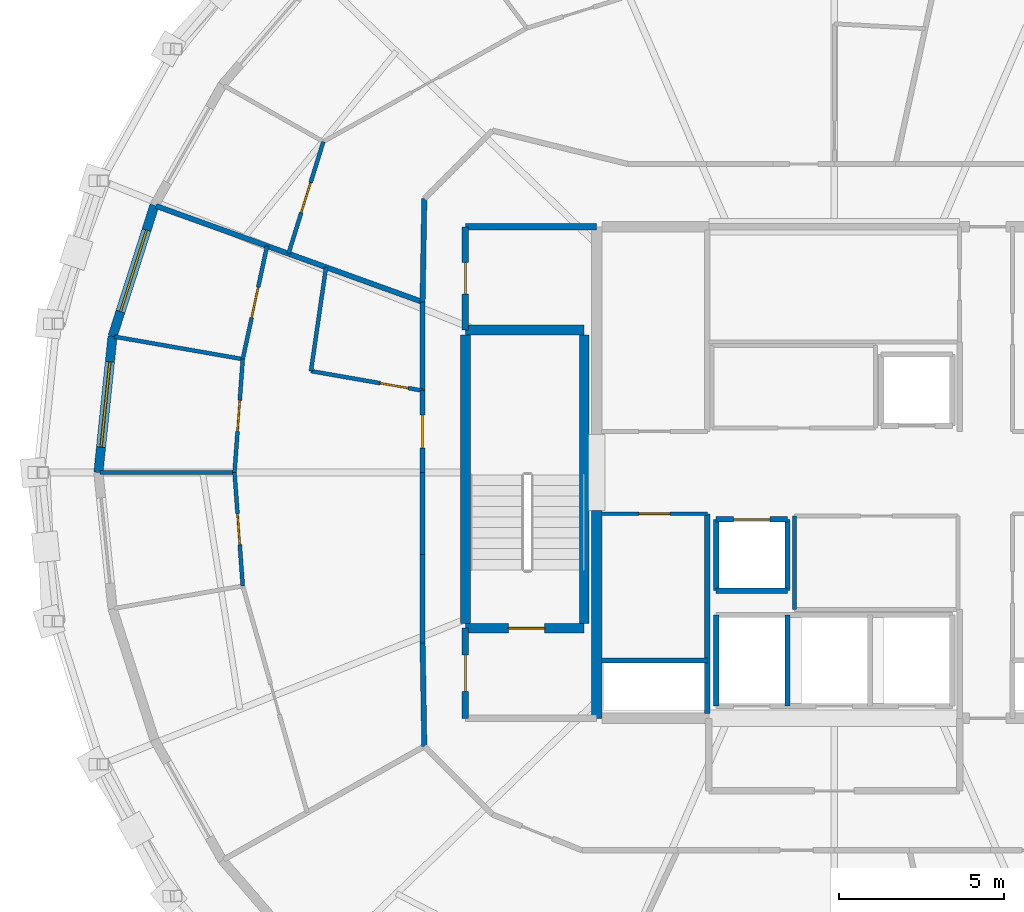
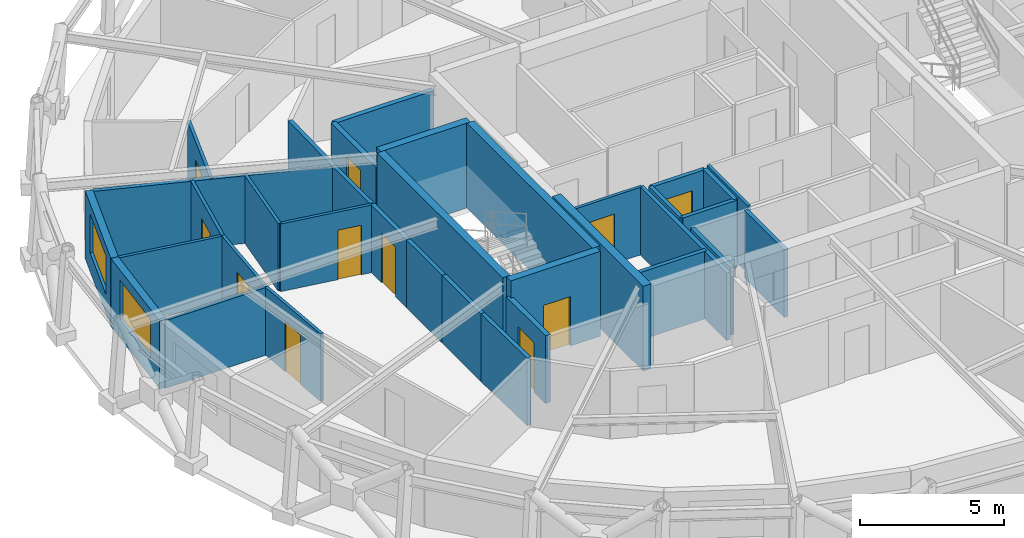
# One storey, part 13 of 18: 35 walls, 11 doors, 2 windows, 13 openings.
"""IFC4 building model written with IfcOpenShell, lengths in metres."""

import ifcopenshell
import ifcopenshell.guid

model = None  # the IFC model being written
_history = None  # IfcOwnerHistory: only IFC2X3 demands one
_inside = {}  # id of a spatial element -> (the spatial element, [elements in it])
_under = {}  # id of a project, library or spatial element -> (it, [spatial elements below it])
_declared = {}  # id of a project -> (the project, [libraries it declares])
_typed = {}  # id of a type object -> (the type object, [elements of that type])
_made_of = {}  # id of a material, layer set ... -> (it, [elements and type objects made of it])


def new_model(schema):
    """Start an empty IFC model of exactly this schema.

    Asked for "IFC4X3", IfcOpenShell would pick the latest addendum, in which some entities
    have other attributes; the version numbers below select the first issue.
    IFC2X3 requires an IfcOwnerHistory on every rooted entity: one is made here for all.
    """
    global model, _history
    if schema == "IFC4X3":
        model = ifcopenshell.file(schema_version=(4, 3, 0, 0))
    else:
        model = ifcopenshell.file(schema=schema)
    _inside.clear()
    _under.clear()
    _declared.clear()
    _typed.clear()
    _made_of.clear()
    _history = None
    if model.schema == "IFC2X3":
        org = make("IfcOrganization", Name="unknown")
        user = make(
            "IfcPersonAndOrganization",
            ThePerson=make("IfcPerson", FamilyName="unknown"),
            TheOrganization=org,
        )
        app = make(
            "IfcApplication",
            ApplicationDeveloper=org,
            Version="unknown",
            ApplicationFullName="unknown",
            ApplicationIdentifier="unknown",
        )
        _history = make(
            "IfcOwnerHistory",
            OwningUser=user,
            OwningApplication=app,
            ChangeAction="ADDED",
            CreationDate=0,
        )
    return model


def make(cls, **values):
    """One entity of the class cls with the attributes given. An attribute that is None is left unset."""
    return model.create_entity(
        cls, **{name: value for name, value in values.items() if value is not None}
    )


def rooted(cls, **values):
    """An entity with a GlobalId (a new one), such as an element, a storey or a relation."""
    return make(cls, GlobalId=ifcopenshell.guid.new(), OwnerHistory=_history, **values)


def si_unit(unit_type, name, prefix=None):
    """IfcSIUnit, for example si_unit("LENGTHUNIT", "METRE", prefix="MILLI")."""
    return make("IfcSIUnit", UnitType=unit_type, Prefix=prefix, Name=name)


def assignment(units):
    """IfcUnitAssignment: the units of a project."""
    return None if units is None else make("IfcUnitAssignment", Units=units)


def point(xyz):
    """IfcCartesianPoint."""
    return None if xyz is None else make("IfcCartesianPoint", Coordinates=xyz)


def direction(xyz):
    """IfcDirection."""
    return None if xyz is None else make("IfcDirection", DirectionRatios=xyz)


def frame(location, z_axis=None, x_axis=None):
    """IfcAxis2Placement3D, a coordinate frame: its origin and axes. An axis left out is left unset."""
    return make(
        "IfcAxis2Placement3D",
        Location=point(location),
        Axis=direction(z_axis),
        RefDirection=direction(x_axis),
    )


def frame_2d(location, x_axis=None):
    """IfcAxis2Placement2D, a coordinate frame in the plane: its origin and x axis."""
    return make(
        "IfcAxis2Placement2D", Location=point(location), RefDirection=direction(x_axis)
    )


def origin():
    """The frame at (0, 0, 0) with its axes left unset."""
    return frame((0.0, 0.0, 0.0))


def place(relative_to, where):
    """IfcLocalPlacement: puts the frame where relative to a parent placement (None: the world)."""
    return make(
        "IfcLocalPlacement", PlacementRelTo=relative_to, RelativePlacement=where
    )


def context(
    kind, dimensions, precision=None, world=None, true_north=None, identifier=None
):
    """IfcGeometricRepresentationContext, for example the 3D "Model" context."""
    return make(
        "IfcGeometricRepresentationContext",
        ContextIdentifier=identifier,
        ContextType=kind,
        CoordinateSpaceDimension=dimensions,
        Precision=precision,
        WorldCoordinateSystem=world,
        TrueNorth=true_north,
    )


def subcontext(parent, identifier, kind, view, scale=None):
    """IfcGeometricRepresentationSubContext, for example "Body" below "Model"."""
    return make(
        "IfcGeometricRepresentationSubContext",
        ContextIdentifier=identifier,
        ContextType=kind,
        ParentContext=parent,
        TargetScale=scale,
        TargetView=view,
    )


def project(units=None, contexts=None):
    """IfcProject with its units and contexts."""
    return rooted(
        "IfcProject",
        Name="project",
        RepresentationContexts=contexts,
        UnitsInContext=assignment(units),
    )


def spatial(cls, under=None, at=None, **own):
    """A site, building, storey or space (cls), placed at a placement, below another one or the project."""
    s = rooted(cls, ObjectPlacement=at, **own)
    if under is not None:
        _under.setdefault(under.id(), (under, []))[1].append(s)
    return s


def profile(cls, at=None, kind="AREA", **sizes):
    """A parametric profile (cls). Its sizes go by their IFC names, for example OverallWidth=200.0."""
    return make(cls, ProfileType=kind, Position=at, **sizes)


def rectangle(**sizes):
    """IfcRectangleProfileDef."""
    return profile("IfcRectangleProfileDef", **sizes)


def extrude(swept, where, along, depth):
    """IfcExtrudedAreaSolid: the profile swept, set in the frame where, extruded along a direction by depth."""
    return make(
        "IfcExtrudedAreaSolid",
        SweptArea=swept,
        Position=where,
        ExtrudedDirection=direction(along),
        Depth=depth,
    )


def shape(context_of_items, identifier, shape_type, items):
    """IfcShapeRepresentation: the items that make up one representation, for example the "Body"."""
    return make(
        "IfcShapeRepresentation",
        ContextOfItems=context_of_items,
        RepresentationIdentifier=identifier,
        RepresentationType=shape_type,
        Items=items,
    )


def material(Name=None, Category=None):
    """IfcMaterial."""
    return make("IfcMaterial", Name=Name, Category=Category)


def layer(
    of_material, thickness, ventilated=None, Name=None, Category=None, Priority=None
):
    """IfcMaterialLayer: one layer of a wall or slab, of a material (None: an air gap)."""
    return make(
        "IfcMaterialLayer",
        Material=of_material,
        LayerThickness=thickness,
        IsVentilated=ventilated,
        Name=Name,
        Category=Category,
        Priority=Priority,
    )


def layer_set(layers, Name=None):
    """IfcMaterialLayerSet."""
    return make("IfcMaterialLayerSet", MaterialLayers=layers, LayerSetName=Name)


def made_of(thing, what):
    """Note that an element or type object is made of a material, layer set ...; save() writes the relation."""
    if what is not None:
        _made_of.setdefault(what.id(), (what, []))[1].append(thing)
    return thing


def type_object(cls, material=None, **own):
    """A type object (cls), such as IfcWallType, which elements share."""
    return made_of(rooted(cls, **own), material)


def element(
    cls,
    number,
    at=None,
    inside=None,
    cuts=None,
    type_object=None,
    material=None,
    context=None,
    identifier="Body",
    shape_type=None,
    held_by="IfcProductDefinitionShape",
    body=None,
    shapes=None,
    **own,
):
    """One element of the class cls, such as IfcWall. Its Tag is "e" and its number.

    at: its placement. inside: the storey or other place that contains it. cuts: it is an
    opening in that element (IfcRelVoidsElement). A single representation is given by context,
    identifier, shape_type and body (its items); several are given by shapes. held_by: the class
    of the entity that holds the representations. save() writes the other relations.
    """
    e = rooted(cls, Tag="e%d" % number, ObjectPlacement=at, **own)
    if body is not None:
        shapes = [shape(context, identifier, shape_type, body)]
    if shapes is not None:
        e.Representation = make(held_by, Representations=shapes)
    if inside is not None:
        _inside.setdefault(inside.id(), (inside, []))[1].append(e)
    if cuts is not None:
        rooted(
            "IfcRelVoidsElement", RelatingBuildingElement=cuts, RelatedOpeningElement=e
        )
    if type_object is not None:
        _typed.setdefault(type_object.id(), (type_object, []))[1].append(e)
    return made_of(e, material)


def fill(opening, filler):
    """IfcRelFillsElement: the door or window that sits in an opening."""
    return rooted(
        "IfcRelFillsElement",
        RelatingOpeningElement=opening,
        RelatedBuildingElement=filler,
    )


def aggregate(whole, parts):
    """IfcRelAggregates: a whole, such as a stair, and the parts it consists of."""
    return rooted("IfcRelAggregates", RelatingObject=whole, RelatedObjects=parts)


def save(model, path):
    """Write the relations noted so far, then the file.

    IfcRelAggregates (storeys below a building ...), IfcRelContainedInSpatialStructure (elements
    in a storey), IfcRelDefinesByType, IfcRelAssociatesMaterial and IfcRelDeclares: one each for
    every whole, place, type object, material and project.
    """
    for whole, parts in _under.values():
        aggregate(whole, parts)
    for where, things in _inside.values():
        rooted(
            "IfcRelContainedInSpatialStructure",
            RelatedElements=things,
            RelatingStructure=where,
        )
    for kind, things in _typed.values():
        rooted("IfcRelDefinesByType", RelatedObjects=things, RelatingType=kind)
    for what, things in _made_of.values():
        rooted("IfcRelAssociatesMaterial", RelatedObjects=things, RelatingMaterial=what)
    for by, libraries in _declared.values():
        rooted("IfcRelDeclares", RelatingContext=by, RelatedDefinitions=libraries)
    model.write(path)


model = new_model("IFC4")

# Units and contexts
model_context = context("Model", 3, precision=1e-05, world=origin(), true_north=direction((0.0, 1.0)))
body_context = subcontext(model_context, "Body", "Model", "MODEL_VIEW")
ifc_project = project(units=[si_unit("LENGTHUNIT", "METRE"), si_unit("AREAUNIT", "SQUARE_METRE"), si_unit("VOLUMEUNIT", "CUBIC_METRE"), si_unit("PLANEANGLEUNIT", "RADIAN"), si_unit("MASSUNIT", "GRAM", prefix="KILO")], contexts=[model_context])

# Site, building, storey
site_placement = place(None, origin())
site = spatial("IfcSite", under=ifc_project, at=site_placement, CompositionType="ELEMENT")
building_placement = place(site_placement, origin())
building = spatial("IfcBuilding", under=site, at=building_placement, Name="Veldorina Hangang Commons", CompositionType="ELEMENT")
storey_placement = place(building_placement, frame((0.0, 0.0, 232.800048828125)))
storey = spatial("IfcBuildingStorey", under=building, at=storey_placement, Name="L60", CompositionType="ELEMENT", Elevation=232.800048828125)

# Wall
ifc_material_1 = material(Name="Concrete C50/60", Category="concrete")
ifc_layer_1 = layer(ifc_material_1, 0.320068359375)
ifc_layer_set_1 = layer_set([ifc_layer_1], Name="Concrete C50/60")
wall_type_1 = type_object("IfcWallType", Name="CW-RC320-C50", PredefinedType="SHEAR", material=ifc_layer_set_1)
wall_1_placement = place(storey_placement, frame((24.800048828125, 16.550048828125, 0.0), z_axis=(0.0, 0.0, 1.0), x_axis=(0.0, 1.0, 0.0)))
element("IfcWall", 1, at=wall_1_placement, inside=storey, type_object=wall_type_1, Name="L60 W south core shear wall", PredefinedType="SHEAR", context=body_context, shape_type="SweptSolid", body=[
    extrude(rectangle(XDim=6.300048828125, YDim=0.320068359375, at=frame_2d((3.14990234375, 0.0))), origin(), (0.0, 0.0, 1.0), 3.599853515625),
])

# Wall, opening, window
ifc_material_2 = material(Name="Stone Roman Travertine", Category="masonry")
ifc_layer_2 = layer(ifc_material_2, 0.280029296875)
ifc_layer_set_2 = layer_set([ifc_layer_2], Name="Stone Roman Travertine")
wall_type_2 = type_object("IfcWallType", Name="EW-TRAV-280", PredefinedType="STANDARD", material=ifc_layer_set_2)
wall_2_placement = place(storey_placement, frame((11.39208984375, 32.096923828125, 0.0), z_axis=(0.0, 0.0, 1.0), x_axis=(-0.30458652957, -0.952484669695, 0.0)))
wall_2 = element("IfcWall", 2, at=wall_2_placement, inside=storey, type_object=wall_type_2, Name="L60 travertine facade wall 14", PredefinedType="STANDARD", context=body_context, shape_type="SweptSolid", body=[
    extrude(rectangle(XDim=4.167236328125, YDim=0.280029296875, at=frame_2d((2.08349609375, 0.0))), origin(), (0.0, 0.0, 1.0), 2.8798828125),
])
opening_1_placement = place(wall_2_placement, frame((0.78369140625, 0.0, 0.800048828125)))
opening_1 = element("IfcOpeningElement", 3, at=opening_1_placement, cuts=wall_2, Name="Opening W-02", PredefinedType="OPENING", context=body_context, shape_type="SweptSolid", body=[
    extrude(rectangle(XDim=2.60009765625, YDim=1.64990234375, at=frame_2d((1.300048828125, 0.824951171875))), frame((0.0, 0.14990234375, 0.0), z_axis=(0.0, -1.0, 0.0), x_axis=(1.0, 0.0, 0.0)), (0.0, 0.0, 1.0), 0.300048828125),
])
ifc_material_3 = material(Name="Glass Low-E Triple IGU", Category="glass")
window_type = type_object("IfcWindowType", Name="WIN-TWR-2600", PartitioningType="SINGLE_PANEL", PredefinedType="WINDOW", material=ifc_material_3)
window_1_placement = place(opening_1_placement, origin())
window_1 = element("IfcWindow", 4, at=window_1_placement, inside=storey, type_object=window_type, Name="L60 facade window 14", OverallHeight=1.64990234375, OverallWidth=2.60009765625, PartitioningType="SINGLE_PANEL", PredefinedType="WINDOW", context=body_context, shape_type="SweptSolid", body=[
    extrude(rectangle(XDim=2.60009765625, YDim=1.64990234375, at=frame_2d((1.300048828125, 0.824951171875))), frame((0.0, 0.030029296875, 0.0), z_axis=(0.0, -1.0, 0.0), x_axis=(1.0, 0.0, 0.0)), (0.0, 0.0, 1.0), 0.06005859375),
])
fill(opening_1, window_1)

wall_3_placement = place(storey_placement, frame((10.122802734375, 28.127685546875, 0.0), z_axis=(0.0, 0.0, 1.0), x_axis=(-0.103306596515, -0.994649559954, 0.0)))
wall_3 = element("IfcWall", 5, at=wall_3_placement, inside=storey, type_object=wall_type_2, Name="L60 travertine facade wall 15", PredefinedType="STANDARD", context=body_context, shape_type="SweptSolid", body=[
    extrude(rectangle(XDim=4.14990234375, YDim=0.280029296875, at=frame_2d((2.074951171875, 0.0))), origin(), (0.0, 0.0, 1.0), 2.8798828125),
])
opening_2_placement = place(wall_3_placement, frame((0.77490234375, 0.0, 0.800048828125)))
opening_2 = element("IfcOpeningElement", 6, at=opening_2_placement, cuts=wall_3, Name="Opening W-02", PredefinedType="OPENING", context=body_context, shape_type="SweptSolid", body=[
    extrude(rectangle(XDim=2.60009765625, YDim=1.64990234375, at=frame_2d((1.300048828125, 0.824951171875))), frame((0.0, 0.14990234375, 0.0), z_axis=(0.0, -1.0, 0.0), x_axis=(1.0, 0.0, 0.0)), (0.0, 0.0, 1.0), 0.300048828125),
])
window_2_placement = place(opening_2_placement, origin())
window_2 = element("IfcWindow", 7, at=window_2_placement, inside=storey, type_object=window_type, Name="L60 facade window 15", OverallHeight=1.64990234375, OverallWidth=2.60009765625, PartitioningType="SINGLE_PANEL", PredefinedType="WINDOW", context=body_context, shape_type="SweptSolid", body=[
    extrude(rectangle(XDim=2.60009765625, YDim=1.64990234375, at=frame_2d((1.300048828125, 0.824951171875))), frame((0.0, 0.030029296875, 0.0), z_axis=(0.0, -1.0, 0.0), x_axis=(1.0, 0.0, 0.0)), (0.0, 0.0, 1.0), 0.06005859375),
])
fill(opening_2, window_2)

# Walls
ifc_layer_3 = layer(ifc_material_1, 0.300048828125)
ifc_layer_set_3 = layer_set([ifc_layer_3], Name="Concrete C50/60")
wall_type_3 = type_object("IfcWallType", Name="SW-STAIR-300", PredefinedType="SHEAR", material=ifc_layer_set_3)
for number, where, z_axis, x_axis, name in (
    (8, (20.820068359375, 19.429931640625, 0.0), (0.0, 0.0, 1.0), (0.0, 1.0, 0.0), "L60 ST1 outer stair shear wall"),
    (9, (24.419921875, 19.429931640625, 0.0), (0.0, 0.0, 1.0), (0.0, 1.0, 0.0), "L60 ST1 inner stair shear wall"),
):
    element("IfcWall", number, at=place(storey_placement, frame(where, z_axis=z_axis, x_axis=x_axis)), inside=storey, type_object=wall_type_3, Name=name, PredefinedType="SHEAR", context=body_context, shape_type="SweptSolid", body=[
        extrude(rectangle(XDim=8.739990234375, YDim=0.300048828125, at=frame_2d((4.3701171875, 0.0))), origin(), (0.0, 0.0, 1.0), 3.599853515625),
    ])

# Wall, opening, door
wall_4_placement = place(storey_placement, frame((20.820068359375, 19.280029296875, 0.0), z_axis=(0.0, 0.0, 1.0), x_axis=(1.0, 0.0, 0.0)))
wall_4 = element("IfcWall", 10, at=wall_4_placement, inside=storey, type_object=wall_type_3, Name="L60 ST1 south stair shear wall", PredefinedType="SHEAR", context=body_context, shape_type="SweptSolid", body=[
    extrude(rectangle(XDim=3.599853515625, YDim=0.300048828125, at=frame_2d((1.7998046875, 0.0))), origin(), (0.0, 0.0, 1.0), 3.599853515625),
])
opening_3_placement = place(wall_4_placement, frame((1.300048828125, 0.0, 0.0)))
opening_3 = element("IfcOpeningElement", 11, at=opening_3_placement, cuts=wall_4, Name="Opening D-08", PredefinedType="OPENING", context=body_context, shape_type="SweptSolid", body=[
    extrude(rectangle(XDim=1.10009765625, YDim=2.10009765625, at=frame_2d((0.550048828125, 1.050048828125))), frame((0.0, 0.16015625, 0.0), z_axis=(0.0, -1.0, 0.0), x_axis=(1.0, 0.0, 0.0)), (0.0, 0.0, 1.0), 0.320068359375),
])
ifc_material_4 = material(Name="Steel Fire-Rated Smoke Seal", Category="steel")
door_type_1 = type_object("IfcDoorType", Name="DR-FIRE-1100", OperationType="SINGLE_SWING_RIGHT", PredefinedType="DOOR", material=ifc_material_4)
door_1_placement = place(opening_3_placement, origin())
door_1 = element("IfcDoor", 12, at=door_1_placement, inside=storey, type_object=door_type_1, Name="L60 Special Escape Stair ST-1 door", OperationType="SINGLE_SWING_LEFT", OverallHeight=2.10009765625, OverallWidth=1.10009765625, PredefinedType="DOOR", context=body_context, shape_type="SweptSolid", body=[
    extrude(rectangle(XDim=1.10009765625, YDim=2.10009765625, at=frame_2d((0.550048828125, 1.050048828125))), frame((0.0, 0.02490234375, 0.0), z_axis=(0.0, -1.0, 0.0), x_axis=(1.0, 0.0, 0.0)), (0.0, 0.0, 1.0), 0.050048828125),
])
fill(opening_3, door_1)

# Wall
wall_5_placement = place(storey_placement, frame((20.820068359375, 28.320068359375, 0.0), z_axis=(0.0, 0.0, 1.0), x_axis=(1.0, 0.0, 0.0)))
element("IfcWall", 13, at=wall_5_placement, inside=storey, type_object=wall_type_3, Name="L60 ST1 north stair shear wall", PredefinedType="SHEAR", context=body_context, shape_type="SweptSolid", body=[
    extrude(rectangle(XDim=3.599853515625, YDim=0.300048828125, at=frame_2d((1.7998046875, 0.0))), origin(), (0.0, 0.0, 1.0), 3.599853515625),
])

# Wall, opening, door
ifc_material_5 = material(Name="Gypsum Fire-Rated Twin Stud Wall", Category="gypsum")
ifc_layer_4 = layer(ifc_material_5, 0.159912109375)
ifc_layer_set_4 = layer_set([ifc_layer_4], Name="Gypsum Fire-Rated Twin Stud Wall")
wall_type_4 = type_object("IfcWallType", Name="WL-FIRE-160", PredefinedType="SOLIDWALL", material=ifc_layer_set_4)
wall_6_placement = place(storey_placement, frame((28.419921875, 22.580078125, 0.0), z_axis=(0.0, 0.0, 1.0), x_axis=(1.0, 0.0, 0.0)))
wall_6 = element("IfcWall", 14, at=wall_6_placement, inside=storey, type_object=wall_type_4, Name="L60 Shuttle-high front shaft wall 019", PredefinedType="SOLIDWALL", context=body_context, shape_type="SweptSolid", body=[
    extrude(rectangle(XDim=2.16015625, YDim=0.159912109375, at=frame_2d((1.080078125, 0.0))), origin(), (0.0, 0.0, 1.0), 2.869873046875),
])
opening_4_placement = place(wall_6_placement, frame((0.530029296875, 0.0, 0.0)))
opening_4 = element("IfcOpeningElement", 15, at=opening_4_placement, cuts=wall_6, Name="Opening LD-01", PredefinedType="OPENING", context=body_context, shape_type="SweptSolid", body=[
    extrude(rectangle(XDim=1.10009765625, YDim=2.14990234375, at=frame_2d((0.550048828125, 1.074951171875))), frame((0.0, 0.08984375, 0.0), z_axis=(0.0, -1.0, 0.0), x_axis=(1.0, 0.0, 0.0)), (0.0, 0.0, 1.0), 0.179931640625),
])
ifc_material_6 = material(Name="Stainless Steel Brushed Lift Door", Category="steel")
door_type_2 = type_object("IfcDoorType", Name="DR-LIFT-1100", OperationType="SLIDING_TO_LEFT", PredefinedType="DOOR", material=ifc_material_6)
door_2_placement = place(opening_4_placement, origin())
door_2 = element("IfcDoor", 16, at=door_2_placement, inside=storey, type_object=door_type_2, Name="L60 Lift PL-H2 landing door 007", OperationType="SLIDING_TO_LEFT", OverallHeight=2.14990234375, OverallWidth=1.10009765625, PredefinedType="DOOR", context=body_context, shape_type="SweptSolid", body=[
    extrude(rectangle(XDim=1.10009765625, YDim=2.14990234375, at=frame_2d((0.550048828125, 1.074951171875))), frame((0.0, 0.02490234375, 0.0), z_axis=(0.0, -1.0, 0.0), x_axis=(1.0, 0.0, 0.0)), (0.0, 0.0, 1.0), 0.050048828125),
])
fill(opening_4, door_2)

# Walls
for number, where, z_axis, x_axis, name in (
    (17, (28.419921875, 20.419921875, 0.0), (0.0, 0.0, 1.0), (1.0, 0.0, 0.0), "L60 Shuttle-high rear shaft wall 020"),
    (18, (28.419921875, 20.419921875, 0.0), (0.0, 0.0, 1.0), (0.0, 1.0, 0.0), "L60 PL-H2 west shaft wall 021"),
    (19, (30.580078125, 20.419921875, 0.0), (0.0, 0.0, 1.0), (0.0, 1.0, 0.0), "L60 PL-H2 east shaft wall 022"),
):
    element("IfcWall", number, at=place(storey_placement, frame(where, z_axis=z_axis, x_axis=x_axis)), inside=storey, type_object=wall_type_4, Name=name, PredefinedType="SOLIDWALL", context=body_context, shape_type="SweptSolid", body=[
        extrude(rectangle(XDim=2.16015625, YDim=0.159912109375, at=frame_2d((1.080078125, 0.0))), origin(), (0.0, 0.0, 1.0), 2.869873046875),
    ])
for number, where, z_axis, x_axis, name in (
    (20, (28.419921875, 16.919921875, 0.0), (0.0, 0.0, 1.0), (0.0, 1.0, 0.0), "L60 FFL-1 west shaft wall 025"),
    (21, (30.580078125, 16.919921875, 0.0), (0.0, 0.0, 1.0), (0.0, 1.0, 0.0), "L60 FFL-1 east shaft wall 026"),
):
    element("IfcWall", number, at=place(storey_placement, frame(where, z_axis=z_axis, x_axis=x_axis)), inside=storey, type_object=wall_type_4, Name=name, PredefinedType="SOLIDWALL", context=body_context, shape_type="SweptSolid", body=[
        extrude(rectangle(XDim=2.760009765625, YDim=0.159912109375, at=frame_2d((1.3798828125, 0.0))), origin(), (0.0, 0.0, 1.0), 2.869873046875),
    ])
wall_7_placement = place(storey_placement, frame((24.949951171875, 18.300048828125, 0.0), z_axis=(0.0, 0.0, 1.0), x_axis=(1.0, 0.0, 0.0)))
element("IfcWall", 22, at=wall_7_placement, inside=storey, type_object=wall_type_4, Name="L60 Electrical riser wall 040", PredefinedType="SOLIDWALL", context=body_context, shape_type="SweptSolid", body=[
    extrude(rectangle(XDim=3.199951171875, YDim=0.159912109375, at=frame_2d((1.60009765625, 0.0))), origin(), (0.0, 0.0, 1.0), 2.869873046875),
])
wall_8_placement = place(storey_placement, frame((28.14990234375, 16.699951171875, 0.0), z_axis=(0.0, 0.0, 1.0), x_axis=(0.0, 1.0, 0.0)))
element("IfcWall", 23, at=wall_8_placement, inside=storey, type_object=wall_type_4, Name="L60 SW core inner wall 041", PredefinedType="SOLIDWALL", context=body_context, shape_type="SweptSolid", body=[
    extrude(rectangle(XDim=6.050048828125, YDim=0.159912109375, at=frame_2d((3.02490234375, 0.0))), origin(), (0.0, 0.0, 1.0), 2.869873046875),
])
wall_9_placement = place(storey_placement, frame((19.5732421875, 32.30322265625, 0.0), z_axis=(0.0, 0.0, 1.0), x_axis=(-0.016981035134, -0.999855811828, 0.0)))
element("IfcWall", 24, at=wall_9_placement, inside=storey, type_object=wall_type_4, Name="L60 Compact collar outer wall 13 063", PredefinedType="SOLIDWALL", context=body_context, shape_type="SweptSolid", body=[
    extrude(rectangle(XDim=3.13427734375, YDim=0.159912109375, at=frame_2d((1.567138671875, 0.0))), origin(), (0.0, 0.0, 1.0), 2.869873046875),
])
wall_10_placement = place(storey_placement, frame((19.52001953125, 29.16943359375, 0.0), z_axis=(0.0, 0.0, 1.0), x_axis=(0.0, -1.0, 0.0)))
element("IfcWall", 25, at=wall_10_placement, inside=storey, type_object=wall_type_4, Name="L60 Compact collar outer wall 14 064", PredefinedType="SOLIDWALL", context=body_context, shape_type="SweptSolid", body=[
    extrude(rectangle(XDim=2.68701171875, YDim=0.159912109375, at=frame_2d((1.343505859375, 0.0))), origin(), (0.0, 0.0, 1.0), 2.869873046875),
])

# Wall, opening, door
wall_11_placement = place(storey_placement, frame((19.52001953125, 26.482421875, 0.0), z_axis=(0.0, 0.0, 1.0), x_axis=(0.0, -1.0, 0.0)))
wall_11 = element("IfcWall", 26, at=wall_11_placement, inside=storey, type_object=wall_type_4, Name="L60 Compact collar outer wall 15 065", PredefinedType="SOLIDWALL", context=body_context, shape_type="SweptSolid", body=[
    extrude(rectangle(XDim=2.482421875, YDim=0.159912109375, at=frame_2d((1.2412109375, 0.0))), origin(), (0.0, 0.0, 1.0), 2.869873046875),
])
opening_5_placement = place(wall_11_placement, frame((0.7412109375, 0.0, 0.0)))
opening_5 = element("IfcOpeningElement", 27, at=opening_5_placement, cuts=wall_11, Name="Opening D-06", PredefinedType="OPENING", context=body_context, shape_type="SweptSolid", body=[
    extrude(rectangle(XDim=1.0, YDim=2.10009765625, at=frame_2d((0.5, 1.050048828125))), frame((0.0, 0.08984375, 0.0), z_axis=(0.0, -1.0, 0.0), x_axis=(1.0, 0.0, 0.0)), (0.0, 0.0, 1.0), 0.179931640625),
])
ifc_material_7 = material(Name="Timber Fire-Rated Entrance Core", Category="wood")
door_type_3 = type_object("IfcDoorType", Name="DR-UNIT-1000", OperationType="SINGLE_SWING_LEFT", PredefinedType="DOOR", material=ifc_material_7)
door_3_placement = place(opening_5_placement, origin())
door_3 = element("IfcDoor", 28, at=door_3_placement, inside=storey, type_object=door_type_3, Name="L60 Cluster 4 entrance door 035", OperationType="SINGLE_SWING_LEFT", OverallHeight=2.10009765625, OverallWidth=1.0, PredefinedType="DOOR", context=body_context, shape_type="SweptSolid", body=[
    extrude(rectangle(XDim=1.0, YDim=2.10009765625, at=frame_2d((0.5, 1.050048828125))), frame((0.0, 0.02490234375, 0.0), z_axis=(0.0, -1.0, 0.0), x_axis=(1.0, 0.0, 0.0)), (0.0, 0.0, 1.0), 0.050048828125),
])
fill(opening_5, door_3)

# Walls
wall_12_placement = place(storey_placement, frame((19.52001953125, 24.0, 0.0), z_axis=(0.0, 0.0, 1.0), x_axis=(0.0, -1.0, 0.0)))
element("IfcWall", 29, at=wall_12_placement, inside=storey, type_object=wall_type_4, Name="L60 Compact collar outer wall 16 066", PredefinedType="SOLIDWALL", context=body_context, shape_type="SweptSolid", body=[
    extrude(rectangle(XDim=2.482421875, YDim=0.159912109375, at=frame_2d((1.2412109375, 0.0))), origin(), (0.0, 0.0, 1.0), 2.869873046875),
])
wall_13_placement = place(storey_placement, frame((19.52001953125, 21.517578125, 0.0), z_axis=(0.0, 0.0, 1.0), x_axis=(0.0, -1.0, 0.0)))
element("IfcWall", 30, at=wall_13_placement, inside=storey, type_object=wall_type_4, Name="L60 Compact collar outer wall 17 067", PredefinedType="SOLIDWALL", context=body_context, shape_type="SweptSolid", body=[
    extrude(rectangle(XDim=2.68701171875, YDim=0.159912109375, at=frame_2d((1.343505859375, 0.0))), origin(), (0.0, 0.0, 1.0), 2.869873046875),
])
wall_14_placement = place(storey_placement, frame((19.52001953125, 18.83056640625, 0.0), z_axis=(0.0, 0.0, 1.0), x_axis=(0.016981035134, -0.999855811828, 0.0)))
element("IfcWall", 31, at=wall_14_placement, inside=storey, type_object=wall_type_4, Name="L60 Compact collar outer wall 18 068", PredefinedType="SOLIDWALL", context=body_context, shape_type="SweptSolid", body=[
    extrude(rectangle(XDim=3.13427734375, YDim=0.159912109375, at=frame_2d((1.567138671875, 0.0))), origin(), (0.0, 0.0, 1.0), 2.869873046875),
])
wall_15_placement = place(storey_placement, frame((19.52001953125, 29.16943359375, 0.0), z_axis=(0.0, 0.0, 1.0), x_axis=(-0.940833047992, 0.338870441032, 0.0)))
element("IfcWall", 32, at=wall_15_placement, inside=storey, type_object=wall_type_4, Name="L60 Unit party wall 14 111", PredefinedType="SOLIDWALL", context=body_context, shape_type="SweptSolid", body=[
    extrude(rectangle(XDim=8.58935546875, YDim=0.159912109375, at=frame_2d((4.294677734375, 0.0))), origin(), (0.0, 0.0, 1.0), 2.869873046875),
])

# Wall, opening, door
ifc_material_8 = material(Name="Concrete Blockwork Fire Wall C30/37", Category="masonry")
ifc_layer_5 = layer(ifc_material_8, 0.199951171875)
ifc_layer_set_5 = layer_set([ifc_layer_5], Name="Concrete Blockwork Fire Wall C30/37")
wall_type_5 = type_object("IfcWallType", Name="WL-FIRE-200", PredefinedType="SOLIDWALL", material=ifc_layer_set_5)
wall_16_placement = place(storey_placement, frame((20.820068359375, 16.550048828125, 0.0), z_axis=(0.0, 0.0, 1.0), x_axis=(0.0, 1.0, 0.0)))
wall_16 = element("IfcWall", 33, at=wall_16_placement, inside=storey, type_object=wall_type_5, Name="L60 West vestibule outer wall 001", PredefinedType="SOLIDWALL", context=body_context, shape_type="SweptSolid", body=[
    extrude(rectangle(XDim=2.72998046875, YDim=0.199951171875, at=frame_2d((1.364990234375, 0.0))), origin(), (0.0, 0.0, 1.0), 2.869873046875),
])
opening_6_placement = place(wall_16_placement, frame((0.81494140625, 0.0, 0.0)))
opening_6 = element("IfcOpeningElement", 34, at=opening_6_placement, cuts=wall_16, Name="Opening D-08", PredefinedType="OPENING", context=body_context, shape_type="SweptSolid", body=[
    extrude(rectangle(XDim=1.10009765625, YDim=2.10009765625, at=frame_2d((0.550048828125, 1.050048828125))), frame((0.0, 0.10986328125, 0.0), z_axis=(0.0, -1.0, 0.0), x_axis=(1.0, 0.0, 0.0)), (0.0, 0.0, 1.0), 0.219970703125),
])
door_4_placement = place(opening_6_placement, origin())
door_4 = element("IfcDoor", 35, at=door_4_placement, inside=storey, type_object=door_type_1, Name="L60 West vestibule west door 001", OperationType="SINGLE_SWING_LEFT", OverallHeight=2.10009765625, OverallWidth=1.10009765625, PredefinedType="DOOR", context=body_context, shape_type="SweptSolid", body=[
    extrude(rectangle(XDim=1.10009765625, YDim=2.10009765625, at=frame_2d((0.550048828125, 1.050048828125))), frame((0.0, 0.02490234375, 0.0), z_axis=(0.0, -1.0, 0.0), x_axis=(1.0, 0.0, 0.0)), (0.0, 0.0, 1.0), 0.050048828125),
])
fill(opening_6, door_4)

wall_17_placement = place(storey_placement, frame((20.820068359375, 28.320068359375, 0.0), z_axis=(0.0, 0.0, 1.0), x_axis=(0.0, 1.0, 0.0)))
wall_17 = element("IfcWall", 36, at=wall_17_placement, inside=storey, type_object=wall_type_5, Name="L60 NW core room outer wall 005", PredefinedType="SOLIDWALL", context=body_context, shape_type="SweptSolid", body=[
    extrude(rectangle(XDim=3.1298828125, YDim=0.199951171875, at=frame_2d((1.56494140625, 0.0))), origin(), (0.0, 0.0, 1.0), 2.869873046875),
])
opening_7_placement = place(wall_17_placement, frame((1.090087890625, 0.0, 0.0)))
opening_7 = element("IfcOpeningElement", 37, at=opening_7_placement, cuts=wall_17, Name="Opening D-04", PredefinedType="OPENING", context=body_context, shape_type="SweptSolid", body=[
    extrude(rectangle(XDim=0.949951171875, YDim=2.10009765625, at=frame_2d((0.47509765625, 1.050048828125))), frame((0.0, 0.10986328125, 0.0), z_axis=(0.0, -1.0, 0.0), x_axis=(1.0, 0.0, 0.0)), (0.0, 0.0, 1.0), 0.219970703125),
])
ifc_material_9 = material(Name="Timber Accessible Flush Leaf", Category="wood")
door_type_4 = type_object("IfcDoorType", Name="DR-ACC-950", OperationType="SINGLE_SWING_LEFT", PredefinedType="DOOR", material=ifc_material_9)
door_5_placement = place(opening_7_placement, origin())
door_5 = element("IfcDoor", 38, at=door_5_placement, inside=storey, type_object=door_type_4, Name="L60 NW core WC door 003", OperationType="SINGLE_SWING_LEFT", OverallHeight=2.10009765625, OverallWidth=0.949951171875, PredefinedType="DOOR", context=body_context, shape_type="SweptSolid", body=[
    extrude(rectangle(XDim=0.949951171875, YDim=2.10009765625, at=frame_2d((0.47509765625, 1.050048828125))), frame((0.0, 0.02490234375, 0.0), z_axis=(0.0, -1.0, 0.0), x_axis=(1.0, 0.0, 0.0)), (0.0, 0.0, 1.0), 0.050048828125),
])
fill(opening_7, door_5)

# Walls
wall_18_placement = place(storey_placement, frame((20.820068359375, 31.449951171875, 0.0), z_axis=(0.0, 0.0, 1.0), x_axis=(1.0, 0.0, 0.0)))
element("IfcWall", 39, at=wall_18_placement, inside=storey, type_object=wall_type_5, Name="L60 NW core room north wall 006", PredefinedType="SOLIDWALL", context=body_context, shape_type="SweptSolid", body=[
    extrude(rectangle(XDim=3.97998046875, YDim=0.199951171875, at=frame_2d((1.989990234375, 0.0))), origin(), (0.0, 0.0, 1.0), 2.869873046875),
])
ifc_material_10 = material(Name="Gypsum Acoustic Stud Partition", Category="gypsum")
ifc_layer_6 = layer(ifc_material_10, 0.1201171875)
ifc_layer_set_6 = layer_set([ifc_layer_6], Name="Gypsum Acoustic Stud Partition")
wall_type_6 = type_object("IfcWallType", Name="WL-PART-120", PredefinedType="PARTITIONING", material=ifc_layer_set_6)
wall_19_placement = place(storey_placement, frame((30.800048828125, 19.85009765625, 0.0), z_axis=(0.0, 0.0, 1.0), x_axis=(0.0, 1.0, 0.0)))
element("IfcWall", 40, at=wall_19_placement, inside=storey, type_object=wall_type_6, Name="L60 Merged shuttle west wall 038", PredefinedType="PARTITIONING", context=body_context, shape_type="SweptSolid", body=[
    extrude(rectangle(XDim=2.829833984375, YDim=0.1201171875, at=frame_2d((1.4150390625, 0.0))), origin(), (0.0, 0.0, 1.0), 2.869873046875),
])

# Wall, opening, door
wall_20_placement = place(storey_placement, frame((24.949951171875, 22.75, 0.0), z_axis=(0.0, 0.0, 1.0), x_axis=(1.0, 0.0, 0.0)))
wall_20 = element("IfcWall", 41, at=wall_20_placement, inside=storey, type_object=wall_type_6, Name="L60 SW service north wall 045", PredefinedType="PARTITIONING", context=body_context, shape_type="SweptSolid", body=[
    extrude(rectangle(XDim=3.199951171875, YDim=0.1201171875, at=frame_2d((1.60009765625, 0.0))), origin(), (0.0, 0.0, 1.0), 2.869873046875),
])
opening_8_placement = place(wall_20_placement, frame((1.125, 0.0, 0.0)))
opening_8 = element("IfcOpeningElement", 42, at=opening_8_placement, cuts=wall_20, Name="Opening D-02", PredefinedType="OPENING", context=body_context, shape_type="SweptSolid", body=[
    extrude(rectangle(XDim=0.949951171875, YDim=2.10009765625, at=frame_2d((0.47509765625, 1.050048828125))), frame((0.0, 0.070068359375, 0.0), z_axis=(0.0, -1.0, 0.0), x_axis=(1.0, 0.0, 0.0)), (0.0, 0.0, 1.0), 0.14013671875),
])
ifc_material_11 = material(Name="Timber Solid Core Acoustic", Category="wood")
door_type_5 = type_object("IfcDoorType", Name="DR-INT-950", OperationType="SINGLE_SWING_LEFT", PredefinedType="DOOR", material=ifc_material_11)
door_6_placement = place(opening_8_placement, origin())
door_6 = element("IfcDoor", 43, at=door_6_placement, inside=storey, type_object=door_type_5, Name="L60 Refuse hold door 015", OperationType="SINGLE_SWING_LEFT", OverallHeight=2.10009765625, OverallWidth=0.949951171875, PredefinedType="DOOR", context=body_context, shape_type="SweptSolid", body=[
    extrude(rectangle(XDim=0.949951171875, YDim=2.10009765625, at=frame_2d((0.47509765625, 1.050048828125))), frame((0.0, 0.02490234375, 0.0), z_axis=(0.0, -1.0, 0.0), x_axis=(1.0, 0.0, 0.0)), (0.0, 0.0, 1.0), 0.050048828125),
])
fill(opening_8, door_6)

wall_21_placement = place(storey_placement, frame((16.51318359375, 34.029052734375, 0.0), z_axis=(0.0, 0.0, 1.0), x_axis=(-0.297239013816, -0.954803104658, 0.0)))
wall_21 = element("IfcWall", 44, at=wall_21_placement, inside=storey, type_object=wall_type_6, Name="L60 Cluster 3 bed 6 front wall 109", PredefinedType="PARTITIONING", context=body_context, shape_type="SweptSolid", body=[
    extrude(rectangle(XDim=3.556396484375, YDim=0.1201171875, at=frame_2d((1.7783203125, 0.0))), origin(), (0.0, 0.0, 1.0), 2.869873046875),
])
opening_9_placement = place(wall_21_placement, frame((1.303466796875, 0.0, 0.0)))
opening_9 = element("IfcOpeningElement", 45, at=opening_9_placement, cuts=wall_21, Name="Opening D-02", PredefinedType="OPENING", context=body_context, shape_type="SweptSolid", body=[
    extrude(rectangle(XDim=0.949951171875, YDim=2.10009765625, at=frame_2d((0.47509765625, 1.050048828125))), frame((0.0, 0.070068359375, 0.0), z_axis=(0.0, -1.0, 0.0), x_axis=(1.0, 0.0, 0.0)), (0.0, 0.0, 1.0), 0.14013671875),
])
door_7_placement = place(opening_9_placement, origin())
door_7 = element("IfcDoor", 46, at=door_7_placement, inside=storey, type_object=door_type_5, Name="L60 Cluster 3 bed 6 door 033", OperationType="SINGLE_SWING_LEFT", OverallHeight=2.10009765625, OverallWidth=0.949951171875, PredefinedType="DOOR", context=body_context, shape_type="SweptSolid", body=[
    extrude(rectangle(XDim=0.949951171875, YDim=2.10009765625, at=frame_2d((0.47509765625, 1.050048828125))), frame((0.0, 0.02490234375, 0.0), z_axis=(0.0, -1.0, 0.0), x_axis=(1.0, 0.0, 0.0)), (0.0, 0.0, 1.0), 0.050048828125),
])
fill(opening_9, door_7)

# Wall
wall_22_placement = place(storey_placement, frame((16.593994140625, 30.223388671875, 0.0), z_axis=(0.0, 0.0, 1.0), x_axis=(-0.14364473036, -0.98962932022, 0.0)))
element("IfcWall", 47, at=wall_22_placement, inside=storey, type_object=wall_type_6, Name="L60 Cluster 4 bath front wall 112", PredefinedType="PARTITIONING", context=body_context, shape_type="SweptSolid", body=[
    extrude(rectangle(XDim=3.181640625, YDim=0.1201171875, at=frame_2d((1.5908203125, 0.0))), origin(), (0.0, 0.0, 1.0), 2.869873046875),
])

# Wall, opening, door
wall_23_placement = place(storey_placement, frame((19.52001953125, 26.482421875, 0.0), z_axis=(0.0, 0.0, 1.0), x_axis=(-0.985018092724, 0.172451027852, 0.0)))
wall_23 = element("IfcWall", 48, at=wall_23_placement, inside=storey, type_object=wall_type_6, Name="L60 Cluster 4 bath side wall 113", PredefinedType="PARTITIONING", context=body_context, shape_type="SweptSolid", body=[
    extrude(rectangle(XDim=3.4345703125, YDim=0.1201171875, at=frame_2d((1.71728515625, 0.0))), origin(), (0.0, 0.0, 1.0), 2.869873046875),
])
opening_10_placement = place(wall_23_placement, frame((0.43994140625, 0.0, 0.0)))
opening_10 = element("IfcOpeningElement", 49, at=opening_10_placement, cuts=wall_23, Name="Opening D-01", PredefinedType="OPENING", context=body_context, shape_type="SweptSolid", body=[
    extrude(rectangle(XDim=0.860107421875, YDim=2.10009765625, at=frame_2d((0.43017578125, 1.050048828125))), frame((0.0, 0.070068359375, 0.0), z_axis=(0.0, -1.0, 0.0), x_axis=(1.0, 0.0, 0.0)), (0.0, 0.0, 1.0), 0.14013671875),
])
ifc_material_12 = material(Name="Timber Moisture-Resistant Core", Category="wood")
door_type_6 = type_object("IfcDoorType", Name="DR-WET-860", OperationType="SINGLE_SWING_LEFT", PredefinedType="DOOR", material=ifc_material_12)
door_8_placement = place(opening_10_placement, origin())
door_8 = element("IfcDoor", 50, at=door_8_placement, inside=storey, type_object=door_type_6, Name="L60 Cluster 4 shared bathroom door 034", OperationType="SINGLE_SWING_RIGHT", OverallHeight=2.10009765625, OverallWidth=0.860107421875, PredefinedType="DOOR", context=body_context, shape_type="SweptSolid", body=[
    extrude(rectangle(XDim=0.860107421875, YDim=2.10009765625, at=frame_2d((0.43017578125, 1.050048828125))), frame((0.0, 0.02490234375, 0.0), z_axis=(0.0, -1.0, 0.0), x_axis=(1.0, 0.0, 0.0)), (0.0, 0.0, 1.0), 0.050048828125),
])
fill(opening_10, door_8)

wall_24_placement = place(storey_placement, frame((14.805908203125, 30.8671875, 0.0), z_axis=(0.0, 0.0, 1.0), x_axis=(-0.209866475618, -0.977730056003, 0.0)))
wall_24 = element("IfcWall", 51, at=wall_24_placement, inside=storey, type_object=wall_type_6, Name="L60 Cluster 4 bed 1 front wall 114", PredefinedType="PARTITIONING", context=body_context, shape_type="SweptSolid", body=[
    extrude(rectangle(XDim=3.508544921875, YDim=0.1201171875, at=frame_2d((1.75439453125, 0.0))), origin(), (0.0, 0.0, 1.0), 2.869873046875),
])
opening_11_placement = place(wall_24_placement, frame((1.279296875, 0.0, 0.0)))
opening_11 = element("IfcOpeningElement", 52, at=opening_11_placement, cuts=wall_24, Name="Opening D-02", PredefinedType="OPENING", context=body_context, shape_type="SweptSolid", body=[
    extrude(rectangle(XDim=0.949951171875, YDim=2.10009765625, at=frame_2d((0.47509765625, 1.050048828125))), frame((0.0, 0.070068359375, 0.0), z_axis=(0.0, -1.0, 0.0), x_axis=(1.0, 0.0, 0.0)), (0.0, 0.0, 1.0), 0.14013671875),
])
door_9_placement = place(opening_11_placement, origin())
door_9 = element("IfcDoor", 53, at=door_9_placement, inside=storey, type_object=door_type_5, Name="L60 Cluster 4 bed 1 door 036", OperationType="SINGLE_SWING_RIGHT", OverallHeight=2.10009765625, OverallWidth=0.949951171875, PredefinedType="DOOR", context=body_context, shape_type="SweptSolid", body=[
    extrude(rectangle(XDim=0.949951171875, YDim=2.10009765625, at=frame_2d((0.47509765625, 1.050048828125))), frame((0.0, 0.02490234375, 0.0), z_axis=(0.0, -1.0, 0.0), x_axis=(1.0, 0.0, 0.0)), (0.0, 0.0, 1.0), 0.050048828125),
])
fill(opening_11, door_9)

wall_25_placement = place(storey_placement, frame((14.069580078125, 27.436767578125, 0.0), z_axis=(0.0, 0.0, 1.0), x_axis=(-0.072128186897, -0.99739537028, 0.0)))
wall_25 = element("IfcWall", 54, at=wall_25_placement, inside=storey, type_object=wall_type_6, Name="L60 Cluster 4 bed 2 front wall 115", PredefinedType="PARTITIONING", context=body_context, shape_type="SweptSolid", body=[
    extrude(rectangle(XDim=3.44580078125, YDim=0.1201171875, at=frame_2d((1.722900390625, 0.0))), origin(), (0.0, 0.0, 1.0), 2.869873046875),
])
opening_12_placement = place(wall_25_placement, frame((1.247802734375, 0.0, 0.0)))
opening_12 = element("IfcOpeningElement", 55, at=opening_12_placement, cuts=wall_25, Name="Opening D-02", PredefinedType="OPENING", context=body_context, shape_type="SweptSolid", body=[
    extrude(rectangle(XDim=0.949951171875, YDim=2.10009765625, at=frame_2d((0.47509765625, 1.050048828125))), frame((0.0, 0.070068359375, 0.0), z_axis=(0.0, -1.0, 0.0), x_axis=(1.0, 0.0, 0.0)), (0.0, 0.0, 1.0), 0.14013671875),
])
door_10_placement = place(opening_12_placement, origin())
door_10 = element("IfcDoor", 56, at=door_10_placement, inside=storey, type_object=door_type_5, Name="L60 Cluster 4 bed 2 door 037", OperationType="SINGLE_SWING_LEFT", OverallHeight=2.10009765625, OverallWidth=0.949951171875, PredefinedType="DOOR", context=body_context, shape_type="SweptSolid", body=[
    extrude(rectangle(XDim=0.949951171875, YDim=2.10009765625, at=frame_2d((0.47509765625, 1.050048828125))), frame((0.0, 0.02490234375, 0.0), z_axis=(0.0, -1.0, 0.0), x_axis=(1.0, 0.0, 0.0)), (0.0, 0.0, 1.0), 0.050048828125),
])
fill(opening_12, door_10)

# Wall
wall_26_placement = place(storey_placement, frame((14.069580078125, 27.436767578125, 0.0), z_axis=(0.0, 0.0, 1.0), x_axis=(-0.985016843907, 0.172458160782, 0.0)))
element("IfcWall", 57, at=wall_26_placement, inside=storey, type_object=wall_type_6, Name="L60 Cluster 4 bed divider 1 116", PredefinedType="PARTITIONING", context=body_context, shape_type="SweptSolid", body=[
    extrude(rectangle(XDim=3.956787109375, YDim=0.1201171875, at=frame_2d((1.978515625, 0.0))), origin(), (0.0, 0.0, 1.0), 2.869873046875),
])

# Wall, opening, door
wall_27_placement = place(storey_placement, frame((13.821044921875, 24.0, 0.0), z_axis=(0.0, 0.0, 1.0), x_axis=(0.072128186897, -0.99739537028, 0.0)))
wall_27 = element("IfcWall", 58, at=wall_27_placement, inside=storey, type_object=wall_type_6, Name="L60 Cluster 4 bed 3 front wall 117", PredefinedType="PARTITIONING", context=body_context, shape_type="SweptSolid", body=[
    extrude(rectangle(XDim=3.44580078125, YDim=0.1201171875, at=frame_2d((1.722900390625, 0.0))), origin(), (0.0, 0.0, 1.0), 2.869873046875),
])
opening_13_placement = place(wall_27_placement, frame((1.247802734375, 0.0, 0.0)))
opening_13 = element("IfcOpeningElement", 59, at=opening_13_placement, cuts=wall_27, Name="Opening D-02", PredefinedType="OPENING", context=body_context, shape_type="SweptSolid", body=[
    extrude(rectangle(XDim=0.949951171875, YDim=2.10009765625, at=frame_2d((0.47509765625, 1.050048828125))), frame((0.0, 0.070068359375, 0.0), z_axis=(0.0, -1.0, 0.0), x_axis=(1.0, 0.0, 0.0)), (0.0, 0.0, 1.0), 0.14013671875),
])
door_11_placement = place(opening_13_placement, origin())
door_11 = element("IfcDoor", 60, at=door_11_placement, inside=storey, type_object=door_type_5, Name="L60 Cluster 4 bed 3 door 038", OperationType="SINGLE_SWING_RIGHT", OverallHeight=2.10009765625, OverallWidth=0.949951171875, PredefinedType="DOOR", context=body_context, shape_type="SweptSolid", body=[
    extrude(rectangle(XDim=0.949951171875, YDim=2.10009765625, at=frame_2d((0.47509765625, 1.050048828125))), frame((0.0, 0.02490234375, 0.0), z_axis=(0.0, -1.0, 0.0), x_axis=(1.0, 0.0, 0.0)), (0.0, 0.0, 1.0), 0.050048828125),
])
fill(opening_13, door_11)

# Wall
wall_28_placement = place(storey_placement, frame((13.821044921875, 24.0, 0.0), z_axis=(0.0, 0.0, 1.0), x_axis=(-1.0, 0.0, 0.0)))
element("IfcWall", 61, at=wall_28_placement, inside=storey, type_object=wall_type_6, Name="L60 Cluster 4 bed divider 2 118", PredefinedType="PARTITIONING", context=body_context, shape_type="SweptSolid", body=[
    extrude(rectangle(XDim=4.076904296875, YDim=0.1201171875, at=frame_2d((2.03857421875, 0.0))), origin(), (0.0, 0.0, 1.0), 2.869873046875),
])

save(model, "model.ifc")
